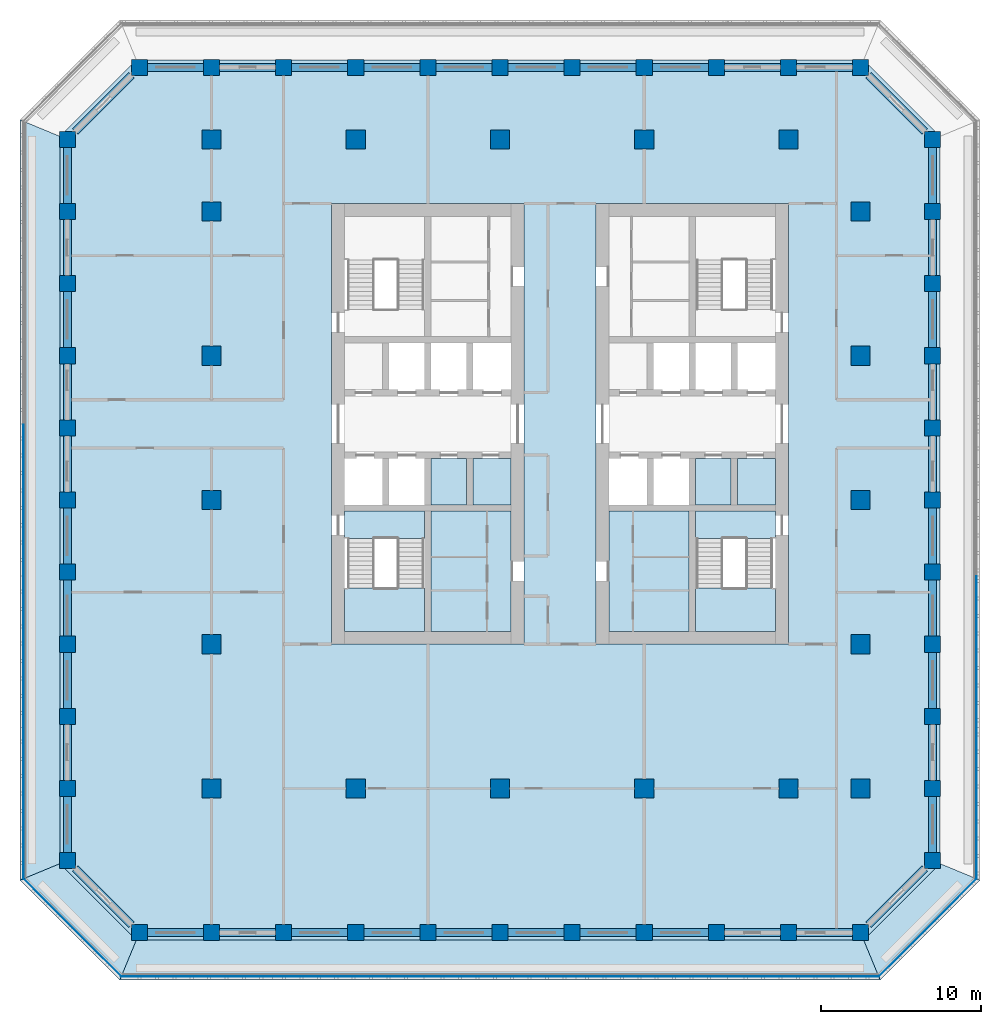
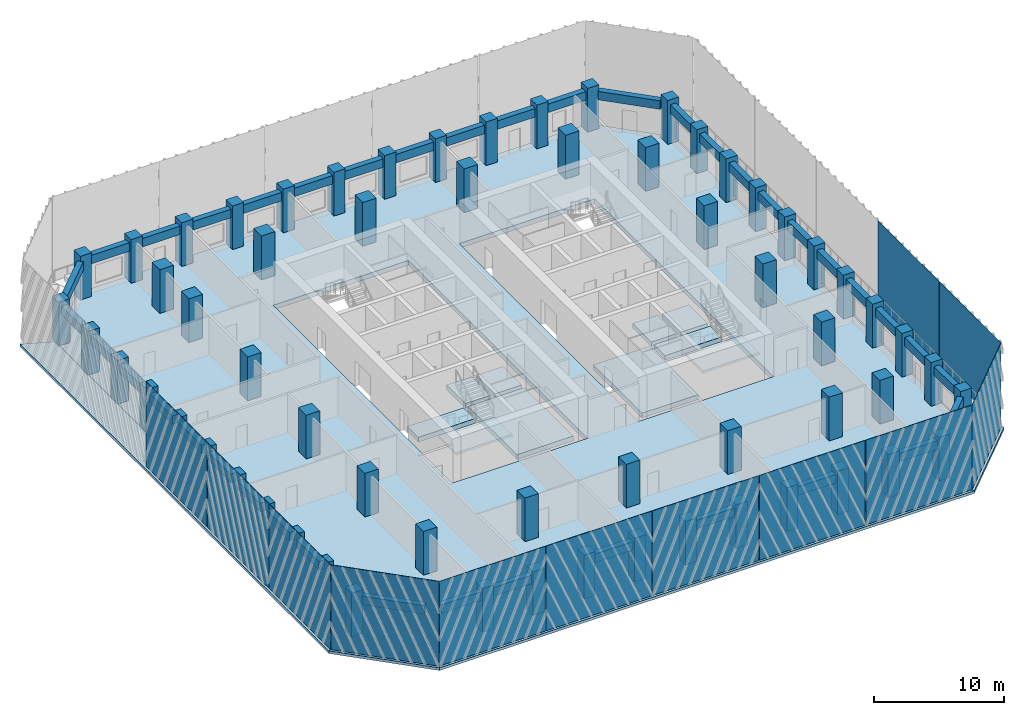
# One storey, part 1 of 16: 63 columns, 44 beams, 15 slabs, 12 plates, 2 elements without a shape of their own.
"""IFC4 building model written with IfcOpenShell, lengths in metres."""

from ifc_helpers import new_model, si_unit, direction, frame, origin, origin_2d, place, context, subcontext, project, spatial, polyline, rectangle, outline, extrude, material, layer, layer_set, material_profile, profile_set, type_object, element, aggregate, save


model = new_model("IFC4")

# Units and contexts
model_context = context("Model", 3, precision=1e-05, world=origin(), true_north=direction((0.0, 1.0)))
body_context = subcontext(model_context, "Body", "Model", "MODEL_VIEW")
ifc_project = project(units=[si_unit("LENGTHUNIT", "METRE"), si_unit("AREAUNIT", "SQUARE_METRE"), si_unit("VOLUMEUNIT", "CUBIC_METRE"), si_unit("PLANEANGLEUNIT", "RADIAN"), si_unit("MASSUNIT", "GRAM", prefix="KILO")], contexts=[model_context])

# Site, building, storey
site_placement = place(None, origin())
site = spatial("IfcSite", under=ifc_project, at=site_placement, CompositionType="ELEMENT")
building_placement = place(site_placement, origin())
building = spatial("IfcBuilding", under=site, at=building_placement, Name="Corbel Stack Research Tower", CompositionType="ELEMENT")
storey_placement = place(building_placement, frame((0.0, 0.0, 173.199951171875)))
storey = spatial("IfcBuildingStorey", under=building, at=storey_placement, Name="L39", CompositionType="ELEMENT", Elevation=173.199951171875)

# Columns
ifc_material_1 = material(Name="Concrete C60/75", Category="concrete")
ifc_material_profile_1 = material_profile(ifc_material_1, rectangle(XDim=1.0, YDim=1.0, at=origin_2d()), Name="RC 1000 x 1000")
ifc_profile_set_1 = profile_set([ifc_material_profile_1], Name="Concrete C60/75")
column_type_1 = type_object("IfcColumnType", Name="C-1000-60", PredefinedType="COLUMN", material=ifc_profile_set_1)
for number, where, z_axis, x_axis, name in (
    (1, (-27.0, -22.5, 0.0), (0.0, 0.0, 1.0), (1.0, 0.0, 0.0), "Column 2/C L39"),
    (2, (-27.0, -18.0, 0.0), (0.0, 0.0, 1.0), (1.0, 0.0, 0.0), "Column 2/D L39"),
    (3, (-27.0, -13.5, 0.0), (0.0, 0.0, 1.0), (1.0, 0.0, 0.0), "Column 2/E L39"),
    (4, (-27.0, -9.0, 0.0), (0.0, 0.0, 1.0), (1.0, 0.0, 0.0), "Column 2/F L39"),
    (5, (-27.0, -4.5, 0.0), (0.0, 0.0, 1.0), (1.0, 0.0, 0.0), "Column 2/G L39"),
    (6, (-27.0, 0.0, 0.0), (0.0, 0.0, 1.0), (1.0, 0.0, 0.0), "Column 2/H L39"),
    (7, (-27.0, 4.5, 0.0), (0.0, 0.0, 1.0), (1.0, 0.0, 0.0), "Column 2/J L39"),
    (8, (-27.0, 9.0, 0.0), (0.0, 0.0, 1.0), (1.0, 0.0, 0.0), "Column 2/K L39"),
    (9, (-27.0, 13.5, 0.0), (0.0, 0.0, 1.0), (1.0, 0.0, 0.0), "Column 2/L L39"),
    (10, (-27.0, 18.0, 0.0), (0.0, 0.0, 1.0), (1.0, 0.0, 0.0), "Column 2/M L39"),
    (11, (-27.0, 22.5, 0.0), (0.0, 0.0, 1.0), (1.0, 0.0, 0.0), "Column 2/N L39"),
    (12, (-22.5, -27.0, 0.0), (0.0, 0.0, 1.0), (1.0, 0.0, 0.0), "Column 3/B L39"),
    (13, (-22.5, 27.0, 0.0), (0.0, 0.0, 1.0), (1.0, 0.0, 0.0), "Column 3/P L39"),
    (14, (-18.0, -27.0, 0.0), (0.0, 0.0, 1.0), (1.0, 0.0, 0.0), "Column 4/B L39"),
    (15, (-18.0, 27.0, 0.0), (0.0, 0.0, 1.0), (1.0, 0.0, 0.0), "Column 4/P L39"),
    (16, (-13.5, -27.0, 0.0), (0.0, 0.0, 1.0), (1.0, 0.0, 0.0), "Column 5/B L39"),
    (17, (-13.5, 27.0, 0.0), (0.0, 0.0, 1.0), (1.0, 0.0, 0.0), "Column 5/P L39"),
    (18, (-9.0, -27.0, 0.0), (0.0, 0.0, 1.0), (1.0, 0.0, 0.0), "Column 6/B L39"),
    (19, (-9.0, 27.0, 0.0), (0.0, 0.0, 1.0), (1.0, 0.0, 0.0), "Column 6/P L39"),
    (20, (-4.5, -27.0, 0.0), (0.0, 0.0, 1.0), (1.0, 0.0, 0.0), "Column 7/B L39"),
    (21, (-4.5, 27.0, 0.0), (0.0, 0.0, 1.0), (1.0, 0.0, 0.0), "Column 7/P L39"),
    (22, (0.0, -27.0, 0.0), (0.0, 0.0, 1.0), (1.0, 0.0, 0.0), "Column 8/B L39"),
    (23, (0.0, 27.0, 0.0), (0.0, 0.0, 1.0), (1.0, 0.0, 0.0), "Column 8/P L39"),
    (24, (4.5, -27.0, 0.0), (0.0, 0.0, 1.0), (1.0, 0.0, 0.0), "Column 9/B L39"),
    (25, (4.5, 27.0, 0.0), (0.0, 0.0, 1.0), (1.0, 0.0, 0.0), "Column 9/P L39"),
    (26, (9.0, -27.0, 0.0), (0.0, 0.0, 1.0), (1.0, 0.0, 0.0), "Column 10/B L39"),
    (27, (9.0, 27.0, 0.0), (0.0, 0.0, 1.0), (1.0, 0.0, 0.0), "Column 10/P L39"),
    (28, (13.5, -27.0, 0.0), (0.0, 0.0, 1.0), (1.0, 0.0, 0.0), "Column 11/B L39"),
    (29, (13.5, 27.0, 0.0), (0.0, 0.0, 1.0), (1.0, 0.0, 0.0), "Column 11/P L39"),
    (30, (18.0, -27.0, 0.0), (0.0, 0.0, 1.0), (1.0, 0.0, 0.0), "Column 12/B L39"),
    (31, (18.0, 27.0, 0.0), (0.0, 0.0, 1.0), (1.0, 0.0, 0.0), "Column 12/P L39"),
    (32, (22.5, -27.0, 0.0), (0.0, 0.0, 1.0), (1.0, 0.0, 0.0), "Column 13/B L39"),
    (33, (22.5, 27.0, 0.0), (0.0, 0.0, 1.0), (1.0, 0.0, 0.0), "Column 13/P L39"),
    (34, (27.0, -22.5, 0.0), (0.0, 0.0, 1.0), (1.0, 0.0, 0.0), "Column 14/C L39"),
    (35, (27.0, -18.0, 0.0), (0.0, 0.0, 1.0), (1.0, 0.0, 0.0), "Column 14/D L39"),
    (36, (27.0, -13.5, 0.0), (0.0, 0.0, 1.0), (1.0, 0.0, 0.0), "Column 14/E L39"),
    (37, (27.0, -9.0, 0.0), (0.0, 0.0, 1.0), (1.0, 0.0, 0.0), "Column 14/F L39"),
    (38, (27.0, -4.5, 0.0), (0.0, 0.0, 1.0), (1.0, 0.0, 0.0), "Column 14/G L39"),
    (39, (27.0, 0.0, 0.0), (0.0, 0.0, 1.0), (1.0, 0.0, 0.0), "Column 14/H L39"),
    (40, (27.0, 4.5, 0.0), (0.0, 0.0, 1.0), (1.0, 0.0, 0.0), "Column 14/J L39"),
    (41, (27.0, 9.0, 0.0), (0.0, 0.0, 1.0), (1.0, 0.0, 0.0), "Column 14/K L39"),
    (42, (27.0, 13.5, 0.0), (0.0, 0.0, 1.0), (1.0, 0.0, 0.0), "Column 14/L L39"),
    (43, (27.0, 18.0, 0.0), (0.0, 0.0, 1.0), (1.0, 0.0, 0.0), "Column 14/M L39"),
    (44, (27.0, 22.5, 0.0), (0.0, 0.0, 1.0), (1.0, 0.0, 0.0), "Column 14/N L39"),
):
    element("IfcColumn", number, at=place(storey_placement, frame(where, z_axis=z_axis, x_axis=x_axis)), inside=storey, type_object=column_type_1, Name=name, PredefinedType="COLUMN", context=body_context, shape_type="SweptSolid", body=[
        extrude(rectangle(XDim=1.0, YDim=1.0, at=origin_2d()), origin(), (0.0, 0.0, 1.0), 4.10009765625),
    ])
ifc_material_2 = material(Name="Concrete C60/75", Category="concrete")
ifc_material_profile_2 = material_profile(ifc_material_2, rectangle(XDim=1.199951171875, YDim=1.199951171875, at=origin_2d()), Name="RC 1200 x 1200")
ifc_profile_set_2 = profile_set([ifc_material_profile_2], Name="Concrete C60/75")
column_type_2 = type_object("IfcColumnType", Name="C-1200-60", PredefinedType="COLUMN", material=ifc_profile_set_2)
for number, where, z_axis, x_axis, name in (
    (45, (-18.0, -18.0, 0.0), (0.0, 0.0, 1.0), (1.0, 0.0, 0.0), "Column 4/D L39"),
    (46, (-18.0, -9.0, 0.0), (0.0, 0.0, 1.0), (1.0, 0.0, 0.0), "Column 4/F L39"),
    (47, (-18.0, 0.0, 0.0), (0.0, 0.0, 1.0), (1.0, 0.0, 0.0), "Column 4/H L39"),
    (48, (-18.0, 9.0, 0.0), (0.0, 0.0, 1.0), (1.0, 0.0, 0.0), "Column 4/K L39"),
    (49, (-18.0, 18.0, 0.0), (0.0, 0.0, 1.0), (1.0, 0.0, 0.0), "Column 4/M L39"),
    (50, (-18.0, 22.5, 0.0), (0.0, 0.0, 1.0), (1.0, 0.0, 0.0), "Column 4/N L39"),
    (51, (-9.0, -18.0, 0.0), (0.0, 0.0, 1.0), (1.0, 0.0, 0.0), "Column 6/D L39"),
    (52, (-9.0, 22.5, 0.0), (0.0, 0.0, 1.0), (1.0, 0.0, 0.0), "Column 6/N L39"),
    (53, (0.0, -18.0, 0.0), (0.0, 0.0, 1.0), (1.0, 0.0, 0.0), "Column 8/D L39"),
    (54, (0.0, 22.5, 0.0), (0.0, 0.0, 1.0), (1.0, 0.0, 0.0), "Column 8/N L39"),
    (55, (9.0, -18.0, 0.0), (0.0, 0.0, 1.0), (1.0, 0.0, 0.0), "Column 10/D L39"),
    (56, (9.0, 22.5, 0.0), (0.0, 0.0, 1.0), (1.0, 0.0, 0.0), "Column 10/N L39"),
    (57, (18.0, -18.0, 0.0), (0.0, 0.0, 1.0), (1.0, 0.0, 0.0), "Column 12/D L39"),
    (58, (18.0, 22.5, 0.0), (0.0, 0.0, 1.0), (1.0, 0.0, 0.0), "Column 12/N L39"),
    (59, (22.5, -18.0, 0.0), (0.0, 0.0, 1.0), (1.0, 0.0, 0.0), "Column 13/D L39"),
    (60, (22.5, -9.0, 0.0), (0.0, 0.0, 1.0), (1.0, 0.0, 0.0), "Column 13/F L39"),
    (61, (22.5, 0.0, 0.0), (0.0, 0.0, 1.0), (1.0, 0.0, 0.0), "Column 13/H L39"),
    (62, (22.5, 9.0, 0.0), (0.0, 0.0, 1.0), (1.0, 0.0, 0.0), "Column 13/K L39"),
    (63, (22.5, 18.0, 0.0), (0.0, 0.0, 1.0), (1.0, 0.0, 0.0), "Column 13/M L39"),
):
    element("IfcColumn", number, at=place(storey_placement, frame(where, z_axis=z_axis, x_axis=x_axis)), inside=storey, type_object=column_type_2, Name=name, PredefinedType="COLUMN", context=body_context, shape_type="SweptSolid", body=[
        extrude(rectangle(XDim=1.199951171875, YDim=1.199951171875, at=origin_2d()), origin(), (0.0, 0.0, 1.0), 4.10009765625),
    ])

# Beams
ifc_material_3 = material(Name="Concrete C60/75", Category="concrete")
ifc_material_profile_3 = material_profile(ifc_material_3, rectangle(XDim=0.5, YDim=0.800048828125, at=origin_2d()), Name="RC 500 x 800")
ifc_profile_set_3 = profile_set([ifc_material_profile_3], Name="Concrete C60/75")
beam_type = type_object("IfcBeamType", Name="SB-500-800-450", PredefinedType="SPANDREL", material=ifc_profile_set_3)
for number, where, z_axis, x_axis, name in (
    (64, (-22.0, -27.0, 3.25), (1.0, 0.0, 0.0), (0.0, 1.0, 0.0), "Spandrel beam L39-01"),
    (65, (-17.5, -27.0, 3.25), (1.0, 0.0, 0.0), (0.0, 1.0, 0.0), "Spandrel beam L39-02"),
    (66, (-13.0, -27.0, 3.25), (1.0, 0.0, 0.0), (0.0, 1.0, 0.0), "Spandrel beam L39-03"),
    (67, (-8.5, -27.0, 3.25), (1.0, 0.0, 0.0), (0.0, 1.0, 0.0), "Spandrel beam L39-04"),
    (68, (-4.0, -27.0, 3.25), (1.0, 0.0, 0.0), (0.0, 1.0, 0.0), "Spandrel beam L39-05"),
    (69, (0.5, -27.0, 3.25), (1.0, 0.0, 0.0), (0.0, 1.0, 0.0), "Spandrel beam L39-06"),
    (70, (5.0, -27.0, 3.25), (1.0, 0.0, 0.0), (0.0, 1.0, 0.0), "Spandrel beam L39-07"),
    (71, (9.5, -27.0, 3.25), (1.0, 0.0, 0.0), (0.0, 1.0, 0.0), "Spandrel beam L39-08"),
    (72, (14.0, -27.0, 3.25), (1.0, 0.0, 0.0), (0.0, 1.0, 0.0), "Spandrel beam L39-09"),
    (73, (18.5, -27.0, 3.25), (1.0, 0.0, 0.0), (0.0, 1.0, 0.0), "Spandrel beam L39-10"),
):
    element("IfcBeam", number, at=place(storey_placement, frame(where, z_axis=z_axis, x_axis=x_axis)), inside=storey, type_object=beam_type, Name=name, PredefinedType="SPANDREL", context=body_context, shape_type="SweptSolid", body=[
        extrude(rectangle(XDim=0.5, YDim=0.800048828125, at=origin_2d()), origin(), (0.0, 0.0, 1.0), 3.5),
    ])
beam_1_placement = place(storey_placement, frame((23.0, -26.5, 3.25), z_axis=(0.707106781187, 0.707106781187, 0.0), x_axis=(-0.707106781187, 0.707106781187, 0.0)))
element("IfcBeam", 74, at=beam_1_placement, inside=storey, type_object=beam_type, Name="Spandrel beam L39-11", PredefinedType="SPANDREL", context=body_context, shape_type="SweptSolid", body=[
    extrude(rectangle(XDim=0.5, YDim=0.800048828125, at=origin_2d()), origin(), (0.0, 0.0, 1.0), 4.94970703125),
])
for number, where, z_axis, x_axis, name in (
    (75, (27.0, -22.0, 3.25), (0.0, 1.0, 0.0), (-1.0, 0.0, 0.0), "Spandrel beam L39-12"),
    (76, (27.0, -17.5, 3.25), (0.0, 1.0, 0.0), (-1.0, 0.0, 0.0), "Spandrel beam L39-13"),
    (77, (27.0, -13.0, 3.25), (0.0, 1.0, 0.0), (-1.0, 0.0, 0.0), "Spandrel beam L39-14"),
    (78, (27.0, -8.5, 3.25), (0.0, 1.0, 0.0), (-1.0, 0.0, 0.0), "Spandrel beam L39-15"),
    (79, (27.0, -4.0, 3.25), (0.0, 1.0, 0.0), (-1.0, 0.0, 0.0), "Spandrel beam L39-16"),
    (80, (27.0, 0.5, 3.25), (0.0, 1.0, 0.0), (-1.0, 0.0, 0.0), "Spandrel beam L39-17"),
    (81, (27.0, 5.0, 3.25), (0.0, 1.0, 0.0), (-1.0, 0.0, 0.0), "Spandrel beam L39-18"),
    (82, (27.0, 9.5, 3.25), (0.0, 1.0, 0.0), (-1.0, 0.0, 0.0), "Spandrel beam L39-19"),
    (83, (27.0, 14.0, 3.25), (0.0, 1.0, 0.0), (-1.0, 0.0, 0.0), "Spandrel beam L39-20"),
    (84, (27.0, 18.5, 3.25), (0.0, 1.0, 0.0), (-1.0, 0.0, 0.0), "Spandrel beam L39-21"),
):
    element("IfcBeam", number, at=place(storey_placement, frame(where, z_axis=z_axis, x_axis=x_axis)), inside=storey, type_object=beam_type, Name=name, PredefinedType="SPANDREL", context=body_context, shape_type="SweptSolid", body=[
        extrude(rectangle(XDim=0.5, YDim=0.800048828125, at=origin_2d()), origin(), (0.0, 0.0, 1.0), 3.5),
    ])
beam_2_placement = place(storey_placement, frame((26.5, 23.0, 3.25), z_axis=(-0.707106781187, 0.707106781187, 0.0), x_axis=(-0.707106781187, -0.707106781187, 0.0)))
element("IfcBeam", 85, at=beam_2_placement, inside=storey, type_object=beam_type, Name="Spandrel beam L39-22", PredefinedType="SPANDREL", context=body_context, shape_type="SweptSolid", body=[
    extrude(rectangle(XDim=0.5, YDim=0.800048828125, at=origin_2d()), origin(), (0.0, 0.0, 1.0), 4.94970703125),
])
for number, where, z_axis, x_axis, name in (
    (86, (22.0, 27.0, 3.25), (-1.0, 0.0, 0.0), (0.0, -1.0, 0.0), "Spandrel beam L39-23"),
    (87, (17.5, 27.0, 3.25), (-1.0, 0.0, 0.0), (0.0, -1.0, 0.0), "Spandrel beam L39-24"),
    (88, (13.0, 27.0, 3.25), (-1.0, 0.0, 0.0), (0.0, -1.0, 0.0), "Spandrel beam L39-25"),
    (89, (8.5, 27.0, 3.25), (-1.0, 0.0, 0.0), (0.0, -1.0, 0.0), "Spandrel beam L39-26"),
    (90, (4.0, 27.0, 3.25), (-1.0, 0.0, 0.0), (0.0, -1.0, 0.0), "Spandrel beam L39-27"),
    (91, (-0.5, 27.0, 3.25), (-1.0, 0.0, 0.0), (0.0, -1.0, 0.0), "Spandrel beam L39-28"),
    (92, (-5.0, 27.0, 3.25), (-1.0, 0.0, 0.0), (0.0, -1.0, 0.0), "Spandrel beam L39-29"),
    (93, (-9.5, 27.0, 3.25), (-1.0, 0.0, 0.0), (0.0, -1.0, 0.0), "Spandrel beam L39-30"),
    (94, (-14.0, 27.0, 3.25), (-1.0, 0.0, 0.0), (0.0, -1.0, 0.0), "Spandrel beam L39-31"),
    (95, (-18.5, 27.0, 3.25), (-1.0, 0.0, 0.0), (0.0, -1.0, 0.0), "Spandrel beam L39-32"),
):
    element("IfcBeam", number, at=place(storey_placement, frame(where, z_axis=z_axis, x_axis=x_axis)), inside=storey, type_object=beam_type, Name=name, PredefinedType="SPANDREL", context=body_context, shape_type="SweptSolid", body=[
        extrude(rectangle(XDim=0.5, YDim=0.800048828125, at=origin_2d()), origin(), (0.0, 0.0, 1.0), 3.5),
    ])
beam_3_placement = place(storey_placement, frame((-23.0, 26.5, 3.25), z_axis=(-0.707106781187, -0.707106781187, 0.0), x_axis=(0.707106781187, -0.707106781187, 0.0)))
element("IfcBeam", 96, at=beam_3_placement, inside=storey, type_object=beam_type, Name="Spandrel beam L39-33", PredefinedType="SPANDREL", context=body_context, shape_type="SweptSolid", body=[
    extrude(rectangle(XDim=0.5, YDim=0.800048828125, at=origin_2d()), origin(), (0.0, 0.0, 1.0), 4.94970703125),
])
for number, where, z_axis, x_axis, name in (
    (97, (-27.0, 22.0, 3.25), (0.0, -1.0, 0.0), (1.0, 0.0, 0.0), "Spandrel beam L39-34"),
    (98, (-27.0, 17.5, 3.25), (0.0, -1.0, 0.0), (1.0, 0.0, 0.0), "Spandrel beam L39-35"),
    (99, (-27.0, 13.0, 3.25), (0.0, -1.0, 0.0), (1.0, 0.0, 0.0), "Spandrel beam L39-36"),
    (100, (-27.0, 8.5, 3.25), (0.0, -1.0, 0.0), (1.0, 0.0, 0.0), "Spandrel beam L39-37"),
    (101, (-27.0, 4.0, 3.25), (0.0, -1.0, 0.0), (1.0, 0.0, 0.0), "Spandrel beam L39-38"),
    (102, (-27.0, -0.5, 3.25), (0.0, -1.0, 0.0), (1.0, 0.0, 0.0), "Spandrel beam L39-39"),
    (103, (-27.0, -5.0, 3.25), (0.0, -1.0, 0.0), (1.0, 0.0, 0.0), "Spandrel beam L39-40"),
    (104, (-27.0, -9.5, 3.25), (0.0, -1.0, 0.0), (1.0, 0.0, 0.0), "Spandrel beam L39-41"),
    (105, (-27.0, -14.0, 3.25), (0.0, -1.0, 0.0), (1.0, 0.0, 0.0), "Spandrel beam L39-42"),
    (106, (-27.0, -18.5, 3.25), (0.0, -1.0, 0.0), (1.0, 0.0, 0.0), "Spandrel beam L39-43"),
):
    element("IfcBeam", number, at=place(storey_placement, frame(where, z_axis=z_axis, x_axis=x_axis)), inside=storey, type_object=beam_type, Name=name, PredefinedType="SPANDREL", context=body_context, shape_type="SweptSolid", body=[
        extrude(rectangle(XDim=0.5, YDim=0.800048828125, at=origin_2d()), origin(), (0.0, 0.0, 1.0), 3.5),
    ])
beam_4_placement = place(storey_placement, frame((-26.5, -23.0, 3.25), z_axis=(0.707106781187, -0.707106781187, 0.0), x_axis=(0.707106781187, 0.707106781187, 0.0)))
element("IfcBeam", 107, at=beam_4_placement, inside=storey, type_object=beam_type, Name="Spandrel beam L39-44", PredefinedType="SPANDREL", context=body_context, shape_type="SweptSolid", body=[
    extrude(rectangle(XDim=0.5, YDim=0.800048828125, at=origin_2d()), origin(), (0.0, 0.0, 1.0), 4.94970703125),
])

# Plates
ifc_material_4 = material(Name="Fritted glass", Category="glass")
ifc_layer_1 = layer(ifc_material_4, 0.02490234375)
ifc_layer_set_1 = layer_set([ifc_layer_1], Name="Fritted glass")
plate_type = type_object("IfcPlateType", Name="Fritted glass panel 25", PredefinedType="SHEET", material=ifc_layer_set_1)
for number, where, z_axis, x_axis, name in (
    (108, (-18.911376953125, -29.737548828125, 0.0), (0.0, 0.0, 1.0), (1.0, 0.0, 0.0), "Fritted glass L39 S1"),
    (109, (-9.45556640625, -29.737548828125, 0.0), (0.0, 0.0, 1.0), (1.0, 0.0, 0.0), "Fritted glass L39 S2"),
    (110, (0.0, -29.737548828125, 0.0), (0.0, 0.0, 1.0), (1.0, 0.0, 0.0), "Fritted glass L39 S3"),
    (111, (9.45556640625, -29.737548828125, 0.0), (0.0, 0.0, 1.0), (1.0, 0.0, 0.0), "Fritted glass L39 S4"),
    (112, (18.911376953125, -29.737548828125, 0.0), (0.0, 0.0, 1.0), (1.0, 0.0, 0.0), "Fritted glass L39 S5"),
):
    element("IfcPlate", number, at=place(storey_placement, frame(where, z_axis=z_axis, x_axis=x_axis)), inside=storey, type_object=plate_type, Name=name, PredefinedType="SHEET", context=body_context, shape_type="SweptSolid", body=[
        extrude(rectangle(XDim=9.3955078125, YDim=0.02490234375, at=origin_2d()), origin(), (0.0, 0.0, 1.0), 7.949951171875),
    ])
plate_1_placement = place(storey_placement, frame((26.685791015625, -26.685791015625, 0.0), z_axis=(0.0, 0.0, 1.0), x_axis=(0.707106781187, 0.707106781187, 0.0)))
element("IfcPlate", 113, at=plate_1_placement, inside=storey, type_object=plate_type, Name="Fritted glass L39 SE1", PredefinedType="SHEET", context=body_context, shape_type="SweptSolid", body=[
    extrude(rectangle(XDim=8.58203125, YDim=0.02490234375, at=origin_2d()), origin(), (0.0, 0.0, 1.0), 7.949951171875),
])
for number, where, z_axis, x_axis, name in (
    (114, (29.737548828125, -18.911376953125, 0.0), (0.0, 0.0, 1.0), (0.0, 1.0, 0.0), "Fritted glass L39 E1"),
    (115, (29.737548828125, -9.45556640625, 0.0), (0.0, 0.0, 1.0), (0.0, 1.0, 0.0), "Fritted glass L39 E2"),
    (116, (-29.737548828125, 0.0, 0.0), (0.0, 0.0, 1.0), (0.0, -1.0, 0.0), "Fritted glass L39 W3"),
    (117, (-29.737548828125, -9.45556640625, 0.0), (0.0, 0.0, 1.0), (0.0, -1.0, 0.0), "Fritted glass L39 W4"),
    (118, (-29.737548828125, -18.911376953125, 0.0), (0.0, 0.0, 1.0), (0.0, -1.0, 0.0), "Fritted glass L39 W5"),
):
    element("IfcPlate", number, at=place(storey_placement, frame(where, z_axis=z_axis, x_axis=x_axis)), inside=storey, type_object=plate_type, Name=name, PredefinedType="SHEET", context=body_context, shape_type="SweptSolid", body=[
        extrude(rectangle(XDim=9.3955078125, YDim=0.02490234375, at=origin_2d()), origin(), (0.0, 0.0, 1.0), 7.949951171875),
    ])
plate_2_placement = place(storey_placement, frame((-26.685791015625, -26.685791015625, 0.0), z_axis=(0.0, 0.0, 1.0), x_axis=(0.707106781187, -0.707106781187, 0.0)))
element("IfcPlate", 119, at=plate_2_placement, inside=storey, type_object=plate_type, Name="Fritted glass L39 SW1", PredefinedType="SHEET", context=body_context, shape_type="SweptSolid", body=[
    extrude(rectangle(XDim=8.58203125, YDim=0.02490234375, at=origin_2d()), origin(), (0.0, 0.0, 1.0), 7.949951171875),
])

# Slabs
ifc_material_5 = material(Name="Concrete C45/55", Category="concrete")
ifc_layer_2 = layer(ifc_material_5, 0.25)
ifc_layer_set_2 = layer_set([ifc_layer_2], Name="Concrete C45/55")
slab_type_1 = type_object("IfcSlabType", Name="PT balcony slab 250 C45/55", PredefinedType="FLOOR", material=ifc_layer_set_2)
slab_1_placement = place(storey_placement, frame((0.0, 0.0, -0.25)))
element("IfcSlab", 120, at=slab_1_placement, inside=storey, type_object=slab_type_1, Name="Loggia slab L39 S", PredefinedType="FLOOR", context=body_context, shape_type="SweptSolid", body=[
    extrude(outline(polyline([(22.70703125, -27.5), (22.0, -27.5), (22.0, -27.449951171875), (18.5, -27.449951171875), (18.5, -27.5), (17.5, -27.5), (17.5, -27.449951171875), (14.0, -27.449951171875), (14.0, -27.5), (13.0, -27.5), (13.0, -27.449951171875), (9.5, -27.449951171875), (9.5, -27.5), (8.5, -27.5), (8.5, -27.449951171875), (5.0, -27.449951171875), (5.0, -27.5), (4.0, -27.5), (4.0, -27.449951171875), (0.5, -27.449951171875), (0.5, -27.5), (-0.5, -27.5), (-0.5, -27.449951171875), (-4.0, -27.449951171875), (-4.0, -27.5), (-5.0, -27.5), (-5.0, -27.449951171875), (-8.5, -27.449951171875), (-8.5, -27.5), (-9.5, -27.5), (-9.5, -27.449951171875), (-13.0, -27.449951171875), (-13.0, -27.5), (-14.0, -27.5), (-14.0, -27.449951171875), (-17.5, -27.449951171875), (-17.5, -27.5), (-18.5, -27.5), (-18.5, -27.449951171875), (-22.0, -27.449951171875), (-22.0, -27.5), (-22.70703125, -27.5), (-23.721923828125, -29.949951171875), (23.721923828125, -29.949951171875), (22.70703125, -27.5)])), origin(), (0.0, 0.0, 1.0), 0.25),
])
slab_2_placement = place(storey_placement, frame((0.0, 0.0, -0.25)))
element("IfcSlab", 121, at=slab_2_placement, inside=storey, type_object=slab_type_1, Name="Loggia slab L39 SE", PredefinedType="FLOOR", context=body_context, shape_type="SweptSolid", body=[
    extrude(outline(polyline([(27.5, -22.70703125), (27.5, -23.0), (27.136474609375, -23.0), (23.0, -27.136474609375), (23.0, -27.5), (22.70703125, -27.5), (23.721923828125, -29.949951171875), (29.949951171875, -23.721923828125), (27.5, -22.70703125)])), origin(), (0.0, 0.0, 1.0), 0.25),
])
slab_3_placement = place(storey_placement, frame((0.0, 0.0, -0.25)))
element("IfcSlab", 122, at=slab_3_placement, inside=storey, type_object=slab_type_1, Name="Loggia slab L39 W", PredefinedType="FLOOR", context=body_context, shape_type="SweptSolid", body=[
    extrude(outline(polyline([(-27.5, -22.70703125), (-27.5, -22.0), (-27.449951171875, -22.0), (-27.449951171875, -18.5), (-27.5, -18.5), (-27.5, -17.5), (-27.449951171875, -17.5), (-27.449951171875, -14.0), (-27.5, -14.0), (-27.5, -13.0), (-27.449951171875, -13.0), (-27.449951171875, -9.5), (-27.5, -9.5), (-27.5, -8.5), (-27.449951171875, -8.5), (-27.449951171875, -5.0), (-27.5, -5.0), (-27.5, -4.0), (-27.449951171875, -4.0), (-27.449951171875, -0.5), (-27.5, -0.5), (-27.5, 0.5), (-27.449951171875, 0.5), (-27.449951171875, 4.0), (-27.5, 4.0), (-27.5, 5.0), (-27.449951171875, 5.0), (-27.449951171875, 8.5), (-27.5, 8.5), (-27.5, 9.5), (-27.449951171875, 9.5), (-27.449951171875, 13.0), (-27.5, 13.0), (-27.5, 14.0), (-27.449951171875, 14.0), (-27.449951171875, 17.5), (-27.5, 17.5), (-27.5, 18.5), (-27.449951171875, 18.5), (-27.449951171875, 22.0), (-27.5, 22.0), (-27.5, 22.70703125), (-29.949951171875, 23.721923828125), (-29.949951171875, -23.721923828125), (-27.5, -22.70703125)])), origin(), (0.0, 0.0, 1.0), 0.25),
])
slab_4_placement = place(storey_placement, frame((0.0, 0.0, -0.25)))
element("IfcSlab", 123, at=slab_4_placement, inside=storey, type_object=slab_type_1, Name="Loggia slab L39 SW", PredefinedType="FLOOR", context=body_context, shape_type="SweptSolid", body=[
    extrude(outline(polyline([(-22.70703125, -27.5), (-23.0, -27.5), (-23.0, -27.136474609375), (-27.136474609375, -23.0), (-27.5, -23.0), (-27.5, -22.70703125), (-29.949951171875, -23.721923828125), (-23.721923828125, -29.949951171875), (-22.70703125, -27.5)])), origin(), (0.0, 0.0, 1.0), 0.25),
])
ifc_material_6 = material(Name="Concrete C45/55", Category="concrete")
ifc_layer_3 = layer(ifc_material_6, 0.449951171875)
ifc_layer_set_3 = layer_set([ifc_layer_3], Name="Concrete C45/55")
slab_type_2 = type_object("IfcSlabType", Name="PT-450", PredefinedType="FLOOR", material=ifc_layer_set_3)
slab_5_placement = place(storey_placement, frame((0.0, 0.0, -0.449951171875)))
element("IfcSlab", 124, at=slab_5_placement, inside=storey, type_object=slab_type_2, Name="Floor slab L39", PredefinedType="FLOOR", context=body_context, shape_type="SweptSolid", body=[
    extrude(outline(polyline([(-22.686279296875, -27.449951171875), (22.686279296875, -27.449951171875), (27.449951171875, -22.686279296875), (27.449951171875, 22.686279296875), (22.686279296875, 27.449951171875), (-22.686279296875, 27.449951171875), (-27.449951171875, 22.686279296875), (-27.449951171875, -22.686279296875), (-22.686279296875, -27.449951171875)]), holes=[polyline([(23.10009765625, 17.39990234375), (21.89990234375, 17.39990234375), (21.89990234375, 18.60009765625), (23.10009765625, 18.60009765625), (23.10009765625, 17.39990234375)]), polyline([(21.89990234375, 8.39990234375), (21.89990234375, 9.60009765625), (23.10009765625, 9.60009765625), (23.10009765625, 8.39990234375), (21.89990234375, 8.39990234375)]), polyline([(23.10009765625, -0.60009765625), (21.89990234375, -0.60009765625), (21.89990234375, 0.60009765625), (23.10009765625, 0.60009765625), (23.10009765625, -0.60009765625)]), polyline([(21.89990234375, -9.60009765625), (21.89990234375, -8.39990234375), (23.10009765625, -8.39990234375), (23.10009765625, -9.60009765625), (21.89990234375, -9.60009765625)]), polyline([(21.89990234375, -18.60009765625), (21.89990234375, -17.39990234375), (23.10009765625, -17.39990234375), (23.10009765625, -18.60009765625), (21.89990234375, -18.60009765625)]), polyline([(17.39990234375, 21.89990234375), (17.39990234375, 23.10009765625), (18.60009765625, 23.10009765625), (18.60009765625, 21.89990234375), (17.39990234375, 21.89990234375)]), polyline([(18.60009765625, -18.60009765625), (17.39990234375, -18.60009765625), (17.39990234375, -17.39990234375), (18.60009765625, -17.39990234375), (18.60009765625, -18.60009765625)]), polyline([(6.0, -9.0), (6.0, 18.5), (18.0, 18.5), (18.0, -9.0), (6.0, -9.0)]), polyline([(8.39990234375, 21.89990234375), (8.39990234375, 23.10009765625), (9.60009765625, 23.10009765625), (9.60009765625, 21.89990234375), (8.39990234375, 21.89990234375)]), polyline([(9.60009765625, -18.60009765625), (8.39990234375, -18.60009765625), (8.39990234375, -17.39990234375), (9.60009765625, -17.39990234375), (9.60009765625, -18.60009765625)]), polyline([(1.5, -9.0), (-10.5, -9.0), (-10.5, 18.5), (1.5, 18.5), (1.5, -9.0)]), polyline([(0.60009765625, 21.89990234375), (-0.60009765625, 21.89990234375), (-0.60009765625, 23.10009765625), (0.60009765625, 23.10009765625), (0.60009765625, 21.89990234375)]), polyline([(0.60009765625, -18.60009765625), (-0.60009765625, -18.60009765625), (-0.60009765625, -17.39990234375), (0.60009765625, -17.39990234375), (0.60009765625, -18.60009765625)]), polyline([(-9.60009765625, 21.89990234375), (-9.60009765625, 23.10009765625), (-8.39990234375, 23.10009765625), (-8.39990234375, 21.89990234375), (-9.60009765625, 21.89990234375)]), polyline([(-8.39990234375, -18.60009765625), (-9.60009765625, -18.60009765625), (-9.60009765625, -17.39990234375), (-8.39990234375, -17.39990234375), (-8.39990234375, -18.60009765625)]), polyline([(-18.60009765625, 21.89990234375), (-18.60009765625, 23.10009765625), (-17.39990234375, 23.10009765625), (-17.39990234375, 21.89990234375), (-18.60009765625, 21.89990234375)]), polyline([(-17.39990234375, 17.39990234375), (-18.60009765625, 17.39990234375), (-18.60009765625, 18.60009765625), (-17.39990234375, 18.60009765625), (-17.39990234375, 17.39990234375)]), polyline([(-17.39990234375, 8.39990234375), (-18.60009765625, 8.39990234375), (-18.60009765625, 9.60009765625), (-17.39990234375, 9.60009765625), (-17.39990234375, 8.39990234375)]), polyline([(-18.60009765625, -0.60009765625), (-18.60009765625, 0.60009765625), (-17.39990234375, 0.60009765625), (-17.39990234375, -0.60009765625), (-18.60009765625, -0.60009765625)]), polyline([(-18.60009765625, -9.60009765625), (-18.60009765625, -8.39990234375), (-17.39990234375, -8.39990234375), (-17.39990234375, -9.60009765625), (-18.60009765625, -9.60009765625)]), polyline([(-17.39990234375, -18.60009765625), (-18.60009765625, -18.60009765625), (-18.60009765625, -17.39990234375), (-17.39990234375, -17.39990234375), (-17.39990234375, -18.60009765625)])]), origin(), (0.0, 0.0, 1.0), 0.449951171875),
])
slab_6_placement = place(storey_placement, frame((0.0, 0.0, -0.449951171875)))
element("IfcSlab", 125, at=slab_6_placement, inside=storey, type_object=slab_type_2, Name="West core floor L39", PredefinedType="FLOOR", context=body_context, shape_type="SweptSolid", body=[
    extrude(outline(polyline([(-4.300048828125, -0.699951171875), (-4.300048828125, -8.199951171875), (0.699951171875, -8.199951171875), (0.699951171875, -0.699951171875), (-4.300048828125, -0.699951171875)])), origin(), (0.0, 0.0, 1.0), 0.449951171875),
])
slab_7_placement = place(storey_placement, frame((0.0, 0.0, -0.449951171875)))
element("IfcSlab", 126, at=slab_7_placement, inside=storey, type_object=slab_type_2, Name="West core floor L39", PredefinedType="FLOOR", context=body_context, shape_type="SweptSolid", body=[
    extrude(outline(polyline([(-2.074951171875, -0.300048828125), (-2.074951171875, 2.60009765625), (-4.300048828125, 2.60009765625), (-4.300048828125, -0.300048828125), (-2.074951171875, -0.300048828125)])), origin(), (0.0, 0.0, 1.0), 0.449951171875),
])
slab_8_placement = place(storey_placement, frame((0.0, 0.0, -0.449951171875)))
element("IfcSlab", 127, at=slab_8_placement, inside=storey, type_object=slab_type_2, Name="West core floor L39", PredefinedType="FLOOR", context=body_context, shape_type="SweptSolid", body=[
    extrude(outline(polyline([(0.699951171875, -0.300048828125), (0.699951171875, 2.60009765625), (-1.675048828125, 2.60009765625), (-1.675048828125, -0.300048828125), (0.699951171875, -0.300048828125)])), origin(), (0.0, 0.0, 1.0), 0.449951171875),
])
slab_9_placement = place(storey_placement, frame((0.0, 0.0, -0.449951171875)))
element("IfcSlab", 128, at=slab_9_placement, inside=storey, type_object=slab_type_2, Name="East core floor L39", PredefinedType="FLOOR", context=body_context, shape_type="SweptSolid", body=[
    extrude(outline(polyline([(6.800048828125, -0.699951171875), (6.800048828125, -8.199951171875), (11.800048828125, -8.199951171875), (11.800048828125, -0.699951171875), (6.800048828125, -0.699951171875)])), origin(), (0.0, 0.0, 1.0), 0.449951171875),
])
slab_10_placement = place(storey_placement, frame((0.0, 0.0, -0.449951171875)))
element("IfcSlab", 129, at=slab_10_placement, inside=storey, type_object=slab_type_2, Name="East core floor L39", PredefinedType="FLOOR", context=body_context, shape_type="SweptSolid", body=[
    extrude(outline(polyline([(14.425048828125, -0.300048828125), (14.425048828125, 2.60009765625), (12.199951171875, 2.60009765625), (12.199951171875, -0.300048828125), (14.425048828125, -0.300048828125)])), origin(), (0.0, 0.0, 1.0), 0.449951171875),
])
slab_11_placement = place(storey_placement, frame((0.0, 0.0, -0.449951171875)))
element("IfcSlab", 130, at=slab_11_placement, inside=storey, type_object=slab_type_2, Name="East core floor L39", PredefinedType="FLOOR", context=body_context, shape_type="SweptSolid", body=[
    extrude(outline(polyline([(17.199951171875, -0.300048828125), (17.199951171875, 2.60009765625), (14.824951171875, 2.60009765625), (14.824951171875, -0.300048828125), (17.199951171875, -0.300048828125)])), origin(), (0.0, 0.0, 1.0), 0.449951171875),
])
slab_12_placement = place(storey_placement, frame((0.0, 0.0, -0.449951171875)))
element("IfcSlab", 131, at=slab_12_placement, inside=storey, type_object=slab_type_2, Name="Stair floor landing ST-W1", PredefinedType="FLOOR", context=body_context, shape_type="SweptSolid", body=[
    extrude(outline(polyline([(-9.699951171875, -2.39990234375), (-4.699951171875, -2.39990234375), (-4.699951171875, -0.699951171875), (-9.699951171875, -0.699951171875), (-9.699951171875, -2.39990234375)])), origin(), (0.0, 0.0, 1.0), 0.449951171875),
])
slab_13_placement = place(storey_placement, frame((0.0, 0.0, -0.449951171875)))
element("IfcSlab", 132, at=slab_13_placement, inside=storey, type_object=slab_type_2, Name="Stair floor landing ST-E1", PredefinedType="FLOOR", context=body_context, shape_type="SweptSolid", body=[
    extrude(outline(polyline([(12.199951171875, -2.39990234375), (17.199951171875, -2.39990234375), (17.199951171875, -0.699951171875), (12.199951171875, -0.699951171875), (12.199951171875, -2.39990234375)])), origin(), (0.0, 0.0, 1.0), 0.449951171875),
])

# Stair, slab
ifc_material_7 = material(Name="Concrete C40/50", Category="concrete")
stair_type = type_object("IfcStairType", Name="Exit stair 24 risers", PredefinedType="HALF_TURN_STAIR", material=ifc_material_7)
stair_1_placement = place(storey_placement, origin())
stair_1 = element("IfcStair", 133, at=stair_1_placement, inside=storey, type_object=stair_type, Name="L39 Exit stair ST-W1", PredefinedType="HALF_TURN_STAIR")
ifc_material_8 = material(Name="Concrete C40/50", Category="concrete")
ifc_layer_4 = layer(ifc_material_8, 0.199951171875)
ifc_layer_set_4 = layer_set([ifc_layer_4], Name="Concrete C40/50")
slab_type_3 = type_object("IfcSlabType", Name="Stair landing 200 C40/50", PredefinedType="LANDING", material=ifc_layer_set_4)
slab_14_placement = place(storey_placement, frame((0.0, 0.0, 1.85009765625)))
slab_14 = element("IfcSlab", 134, at=slab_14_placement, type_object=slab_type_3, Name="ST-W1 landing 1", PredefinedType="LANDING", context=body_context, shape_type="SweptSolid", body=[
    extrude(outline(polyline([(-9.699951171875, -8.199951171875), (-9.699951171875, -5.47998046875), (-4.699951171875, -5.47998046875), (-4.699951171875, -8.199951171875), (-9.699951171875, -8.199951171875)])), origin(), (0.0, 0.0, 1.0), 0.199951171875),
])
aggregate(stair_1, [slab_14])

stair_2_placement = place(storey_placement, origin())
stair_2 = element("IfcStair", 135, at=stair_2_placement, inside=storey, type_object=stair_type, Name="L39 Exit stair ST-E1", PredefinedType="HALF_TURN_STAIR")
slab_15_placement = place(storey_placement, frame((0.0, 0.0, 1.85009765625)))
slab_15 = element("IfcSlab", 136, at=slab_15_placement, type_object=slab_type_3, Name="ST-E1 landing 1", PredefinedType="LANDING", context=body_context, shape_type="SweptSolid", body=[
    extrude(outline(polyline([(12.199951171875, -8.199951171875), (12.199951171875, -5.47998046875), (17.199951171875, -5.47998046875), (17.199951171875, -8.199951171875), (12.199951171875, -8.199951171875)])), origin(), (0.0, 0.0, 1.0), 0.199951171875),
])
aggregate(stair_2, [slab_15])

save(model, "model.ifc")
